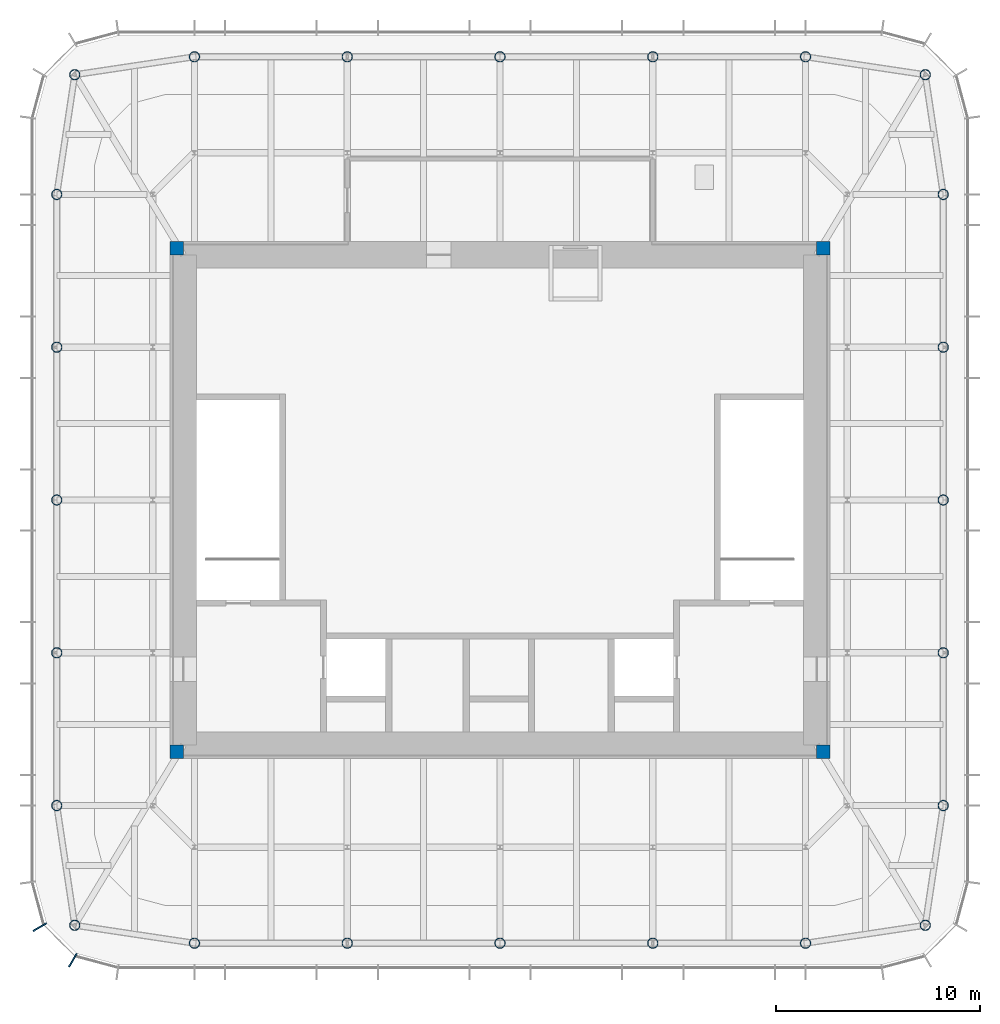
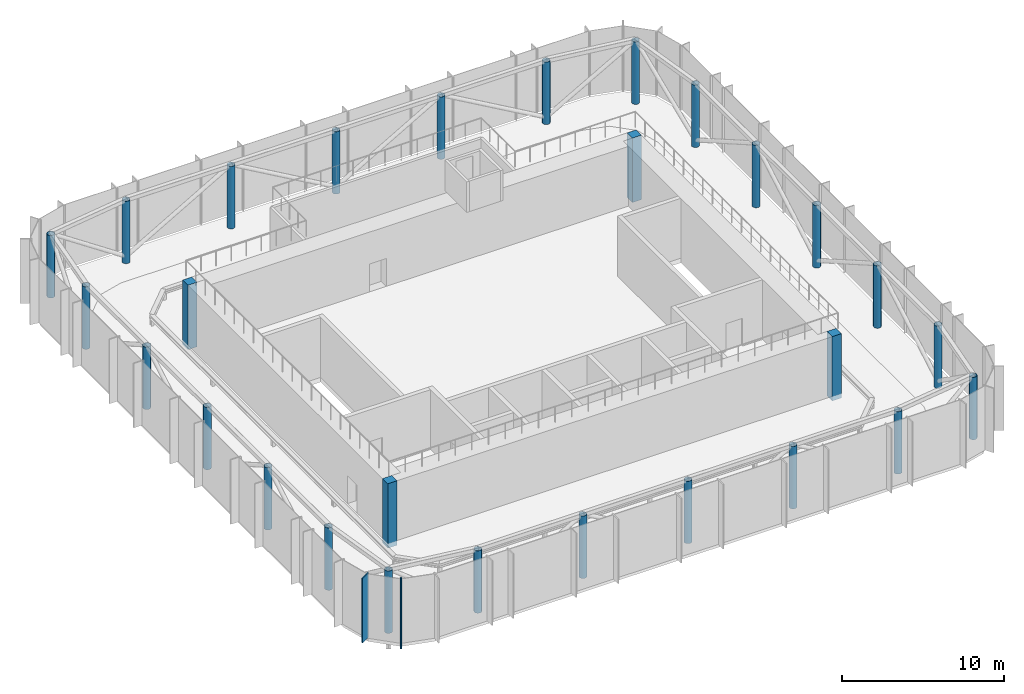
# One storey, part 1 of 12: 28 columns, 2 members, 1 element without a shape of its own.
"""IFC4 building model written with IfcOpenShell, lengths in metres."""

import ifcopenshell
import ifcopenshell.guid

model = None  # the IFC model being written
_history = None  # IfcOwnerHistory: only IFC2X3 demands one
_inside = {}  # id of a spatial element -> (the spatial element, [elements in it])
_under = {}  # id of a project, library or spatial element -> (it, [spatial elements below it])
_declared = {}  # id of a project -> (the project, [libraries it declares])
_typed = {}  # id of a type object -> (the type object, [elements of that type])
_made_of = {}  # id of a material, layer set ... -> (it, [elements and type objects made of it])


def new_model(schema):
    """Start an empty IFC model of exactly this schema.

    Asked for "IFC4X3", IfcOpenShell would pick the latest addendum, in which some entities
    have other attributes; the version numbers below select the first issue.
    IFC2X3 requires an IfcOwnerHistory on every rooted entity: one is made here for all.
    """
    global model, _history
    if schema == "IFC4X3":
        model = ifcopenshell.file(schema_version=(4, 3, 0, 0))
    else:
        model = ifcopenshell.file(schema=schema)
    _inside.clear()
    _under.clear()
    _declared.clear()
    _typed.clear()
    _made_of.clear()
    _history = None
    if model.schema == "IFC2X3":
        org = make("IfcOrganization", Name="unknown")
        user = make(
            "IfcPersonAndOrganization",
            ThePerson=make("IfcPerson", FamilyName="unknown"),
            TheOrganization=org,
        )
        app = make(
            "IfcApplication",
            ApplicationDeveloper=org,
            Version="unknown",
            ApplicationFullName="unknown",
            ApplicationIdentifier="unknown",
        )
        _history = make(
            "IfcOwnerHistory",
            OwningUser=user,
            OwningApplication=app,
            ChangeAction="ADDED",
            CreationDate=0,
        )
    return model


def make(cls, **values):
    """One entity of the class cls with the attributes given. An attribute that is None is left unset."""
    return model.create_entity(
        cls, **{name: value for name, value in values.items() if value is not None}
    )


def rooted(cls, **values):
    """An entity with a GlobalId (a new one), such as an element, a storey or a relation."""
    return make(cls, GlobalId=ifcopenshell.guid.new(), OwnerHistory=_history, **values)


def si_unit(unit_type, name, prefix=None):
    """IfcSIUnit, for example si_unit("LENGTHUNIT", "METRE", prefix="MILLI")."""
    return make("IfcSIUnit", UnitType=unit_type, Prefix=prefix, Name=name)


def assignment(units):
    """IfcUnitAssignment: the units of a project."""
    return None if units is None else make("IfcUnitAssignment", Units=units)


def point(xyz):
    """IfcCartesianPoint."""
    return None if xyz is None else make("IfcCartesianPoint", Coordinates=xyz)


def direction(xyz):
    """IfcDirection."""
    return None if xyz is None else make("IfcDirection", DirectionRatios=xyz)


def frame(location, z_axis=None, x_axis=None):
    """IfcAxis2Placement3D, a coordinate frame: its origin and axes. An axis left out is left unset."""
    return make(
        "IfcAxis2Placement3D",
        Location=point(location),
        Axis=direction(z_axis),
        RefDirection=direction(x_axis),
    )


def frame_2d(location, x_axis=None):
    """IfcAxis2Placement2D, a coordinate frame in the plane: its origin and x axis."""
    return make(
        "IfcAxis2Placement2D", Location=point(location), RefDirection=direction(x_axis)
    )


def origin():
    """The frame at (0, 0, 0) with its axes left unset."""
    return frame((0.0, 0.0, 0.0))


def origin_2d():
    """The frame at (0, 0) in the plane with its x axis left unset."""
    return frame_2d((0.0, 0.0))


def place(relative_to, where):
    """IfcLocalPlacement: puts the frame where relative to a parent placement (None: the world)."""
    return make(
        "IfcLocalPlacement", PlacementRelTo=relative_to, RelativePlacement=where
    )


def context(
    kind, dimensions, precision=None, world=None, true_north=None, identifier=None
):
    """IfcGeometricRepresentationContext, for example the 3D "Model" context."""
    return make(
        "IfcGeometricRepresentationContext",
        ContextIdentifier=identifier,
        ContextType=kind,
        CoordinateSpaceDimension=dimensions,
        Precision=precision,
        WorldCoordinateSystem=world,
        TrueNorth=true_north,
    )


def subcontext(parent, identifier, kind, view, scale=None):
    """IfcGeometricRepresentationSubContext, for example "Body" below "Model"."""
    return make(
        "IfcGeometricRepresentationSubContext",
        ContextIdentifier=identifier,
        ContextType=kind,
        ParentContext=parent,
        TargetScale=scale,
        TargetView=view,
    )


def project(units=None, contexts=None):
    """IfcProject with its units and contexts."""
    return rooted(
        "IfcProject",
        Name="project",
        RepresentationContexts=contexts,
        UnitsInContext=assignment(units),
    )


def spatial(cls, under=None, at=None, **own):
    """A site, building, storey or space (cls), placed at a placement, below another one or the project."""
    s = rooted(cls, ObjectPlacement=at, **own)
    if under is not None:
        _under.setdefault(under.id(), (under, []))[1].append(s)
    return s


def profile(cls, at=None, kind="AREA", **sizes):
    """A parametric profile (cls). Its sizes go by their IFC names, for example OverallWidth=200.0."""
    return make(cls, ProfileType=kind, Position=at, **sizes)


def rectangle(**sizes):
    """IfcRectangleProfileDef."""
    return profile("IfcRectangleProfileDef", **sizes)


def hollow_circle(**sizes):
    """IfcCircleHollowProfileDef."""
    return profile("IfcCircleHollowProfileDef", **sizes)


def extrude(swept, where, along, depth):
    """IfcExtrudedAreaSolid: the profile swept, set in the frame where, extruded along a direction by depth."""
    return make(
        "IfcExtrudedAreaSolid",
        SweptArea=swept,
        Position=where,
        ExtrudedDirection=direction(along),
        Depth=depth,
    )


def shape(context_of_items, identifier, shape_type, items):
    """IfcShapeRepresentation: the items that make up one representation, for example the "Body"."""
    return make(
        "IfcShapeRepresentation",
        ContextOfItems=context_of_items,
        RepresentationIdentifier=identifier,
        RepresentationType=shape_type,
        Items=items,
    )


def material(Name=None, Category=None):
    """IfcMaterial."""
    return make("IfcMaterial", Name=Name, Category=Category)


def material_profile(
    of_material, cross_section, Name=None, Category=None, Priority=None
):
    """IfcMaterialProfile: a cross section and its material."""
    return make(
        "IfcMaterialProfile",
        Name=Name,
        Material=of_material,
        Profile=cross_section,
        Priority=Priority,
        Category=Category,
    )


def profile_set(profiles, Name=None, composite=None):
    """IfcMaterialProfileSet."""
    return make(
        "IfcMaterialProfileSet",
        Name=Name,
        MaterialProfiles=profiles,
        CompositeProfile=composite,
    )


def made_of(thing, what):
    """Note that an element or type object is made of a material, layer set ...; save() writes the relation."""
    if what is not None:
        _made_of.setdefault(what.id(), (what, []))[1].append(thing)
    return thing


def type_object(cls, material=None, **own):
    """A type object (cls), such as IfcWallType, which elements share."""
    return made_of(rooted(cls, **own), material)


def element(
    cls,
    number,
    at=None,
    inside=None,
    cuts=None,
    type_object=None,
    material=None,
    context=None,
    identifier="Body",
    shape_type=None,
    held_by="IfcProductDefinitionShape",
    body=None,
    shapes=None,
    **own,
):
    """One element of the class cls, such as IfcWall. Its Tag is "e" and its number.

    at: its placement. inside: the storey or other place that contains it. cuts: it is an
    opening in that element (IfcRelVoidsElement). A single representation is given by context,
    identifier, shape_type and body (its items); several are given by shapes. held_by: the class
    of the entity that holds the representations. save() writes the other relations.
    """
    e = rooted(cls, Tag="e%d" % number, ObjectPlacement=at, **own)
    if body is not None:
        shapes = [shape(context, identifier, shape_type, body)]
    if shapes is not None:
        e.Representation = make(held_by, Representations=shapes)
    if inside is not None:
        _inside.setdefault(inside.id(), (inside, []))[1].append(e)
    if cuts is not None:
        rooted(
            "IfcRelVoidsElement", RelatingBuildingElement=cuts, RelatedOpeningElement=e
        )
    if type_object is not None:
        _typed.setdefault(type_object.id(), (type_object, []))[1].append(e)
    return made_of(e, material)


def aggregate(whole, parts):
    """IfcRelAggregates: a whole, such as a stair, and the parts it consists of."""
    return rooted("IfcRelAggregates", RelatingObject=whole, RelatedObjects=parts)


def save(model, path):
    """Write the relations noted so far, then the file.

    IfcRelAggregates (storeys below a building ...), IfcRelContainedInSpatialStructure (elements
    in a storey), IfcRelDefinesByType, IfcRelAssociatesMaterial and IfcRelDeclares: one each for
    every whole, place, type object, material and project.
    """
    for whole, parts in _under.values():
        aggregate(whole, parts)
    for where, things in _inside.values():
        rooted(
            "IfcRelContainedInSpatialStructure",
            RelatedElements=things,
            RelatingStructure=where,
        )
    for kind, things in _typed.values():
        rooted("IfcRelDefinesByType", RelatedObjects=things, RelatingType=kind)
    for what, things in _made_of.values():
        rooted("IfcRelAssociatesMaterial", RelatedObjects=things, RelatingMaterial=what)
    for by, libraries in _declared.values():
        rooted("IfcRelDeclares", RelatingContext=by, RelatedDefinitions=libraries)
    model.write(path)


model = new_model("IFC4")

# Units and contexts
model_context = context("Model", 3, precision=1e-05, world=origin(), true_north=direction((0.0, 1.0)))
body_context = subcontext(model_context, "Body", "Model", "MODEL_VIEW")
ifc_project = project(units=[si_unit("LENGTHUNIT", "METRE"), si_unit("AREAUNIT", "SQUARE_METRE"), si_unit("VOLUMEUNIT", "CUBIC_METRE"), si_unit("PLANEANGLEUNIT", "RADIAN"), si_unit("MASSUNIT", "GRAM", prefix="KILO")], contexts=[model_context])

# Site, building, storey
site_placement = place(None, origin())
site = spatial("IfcSite", under=ifc_project, at=site_placement, CompositionType="ELEMENT")
building_placement = place(site_placement, origin())
building = spatial("IfcBuilding", under=site, at=building_placement, Name="Khuree Lantern Residences", CompositionType="ELEMENT")
storey_placement = place(building_placement, frame((0.0, 0.0, 363.25)))
storey = spatial("IfcBuildingStorey", under=building, at=storey_placement, Name="RF", CompositionType="ELEMENT", Elevation=363.25)

# Columns
ifc_material_1 = material(Name="Steel S355", Category="steel")
ifc_material_profile_1 = material_profile(ifc_material_1, hollow_circle(Radius=0.25390625, WallThickness=0.02001953125, at=origin_2d()), Name="CHS 508X20")
ifc_profile_set_1 = profile_set([ifc_material_profile_1], Name="Steel S355")
column_type_1 = type_object("IfcColumnType", Name="CF1 LANTERN FRAME POST CHS 508X20", PredefinedType="COLUMN", material=ifc_profile_set_1)
for number, where, z_axis, x_axis, name in (
    (1, (-14.9599609375, 21.699951171875, 0.0), (0.0, 0.0, 1.0), (1.0, 0.0, 0.0), "Lantern frame post N1"),
    (2, (-7.47998046875, 21.699951171875, 0.0), (0.0, 0.0, 1.0), (1.0, 0.0, 0.0), "Lantern frame post N2"),
    (3, (0.0, 21.699951171875, 0.0), (0.0, 0.0, 1.0), (1.0, 0.0, 0.0), "Lantern frame post N3"),
    (4, (7.47998046875, 21.699951171875, 0.0), (0.0, 0.0, 1.0), (1.0, 0.0, 0.0), "Lantern frame post N4"),
    (5, (14.9599609375, 21.699951171875, 0.0), (0.0, 0.0, 1.0), (1.0, 0.0, 0.0), "Lantern frame post N5"),
    (6, (20.8212890625, 20.8212890625, 0.0), (0.0, 0.0, 1.0), (1.0, 0.0, 0.0), "Lantern frame post NE"),
    (7, (21.699951171875, 14.9599609375, 0.0), (0.0, 0.0, 1.0), (1.0, 0.0, 0.0), "Lantern frame post E1"),
    (8, (21.699951171875, 7.47998046875, 0.0), (0.0, 0.0, 1.0), (1.0, 0.0, 0.0), "Lantern frame post E2"),
    (9, (21.699951171875, 0.0, 0.0), (0.0, 0.0, 1.0), (1.0, 0.0, 0.0), "Lantern frame post E3"),
    (10, (21.699951171875, -7.47998046875, 0.0), (0.0, 0.0, 1.0), (1.0, 0.0, 0.0), "Lantern frame post E4"),
    (11, (21.699951171875, -14.9599609375, 0.0), (0.0, 0.0, 1.0), (1.0, 0.0, 0.0), "Lantern frame post E5"),
    (12, (20.8212890625, -20.8212890625, 0.0), (0.0, 0.0, 1.0), (1.0, 0.0, 0.0), "Lantern frame post SE"),
    (13, (14.9599609375, -21.699951171875, 0.0), (0.0, 0.0, 1.0), (1.0, 0.0, 0.0), "Lantern frame post S1"),
    (14, (7.47998046875, -21.699951171875, 0.0), (0.0, 0.0, 1.0), (1.0, 0.0, 0.0), "Lantern frame post S2"),
    (15, (0.0, -21.699951171875, 0.0), (0.0, 0.0, 1.0), (1.0, 0.0, 0.0), "Lantern frame post S3"),
    (16, (-7.47998046875, -21.699951171875, 0.0), (0.0, 0.0, 1.0), (1.0, 0.0, 0.0), "Lantern frame post S4"),
    (17, (-14.9599609375, -21.699951171875, 0.0), (0.0, 0.0, 1.0), (1.0, 0.0, 0.0), "Lantern frame post S5"),
    (18, (-20.8212890625, -20.8212890625, 0.0), (0.0, 0.0, 1.0), (1.0, 0.0, 0.0), "Lantern frame post SW"),
    (19, (-21.699951171875, -14.9599609375, 0.0), (0.0, 0.0, 1.0), (1.0, 0.0, 0.0), "Lantern frame post W1"),
    (20, (-21.699951171875, -7.47998046875, 0.0), (0.0, 0.0, 1.0), (1.0, 0.0, 0.0), "Lantern frame post W2"),
    (21, (-21.699951171875, 0.0, 0.0), (0.0, 0.0, 1.0), (1.0, 0.0, 0.0), "Lantern frame post W3"),
    (22, (-21.699951171875, 7.47998046875, 0.0), (0.0, 0.0, 1.0), (1.0, 0.0, 0.0), "Lantern frame post W4"),
    (23, (-21.699951171875, 14.9599609375, 0.0), (0.0, 0.0, 1.0), (1.0, 0.0, 0.0), "Lantern frame post W5"),
    (24, (-20.8212890625, 20.8212890625, 0.0), (0.0, 0.0, 1.0), (1.0, 0.0, 0.0), "Lantern frame post NW"),
):
    element("IfcColumn", number, at=place(storey_placement, frame(where, z_axis=z_axis, x_axis=x_axis)), inside=storey, type_object=column_type_1, Name=name, PredefinedType="COLUMN", context=body_context, shape_type="SweptSolid", body=[
        extrude(hollow_circle(Radius=0.25390625, WallThickness=0.02001953125, at=origin_2d()), origin(), (0.0, 0.0, 1.0), 4.699951171875),
    ])
ifc_material_2 = material(Name="Concrete C50/60", Category="concrete")
ifc_material_profile_2 = material_profile(ifc_material_2, rectangle(XDim=0.64990234375, YDim=0.64990234375, at=origin_2d()), Name="RC 650X650")
ifc_profile_set_2 = profile_set([ifc_material_profile_2], Name="Concrete C50/60")
column_type_2 = type_object("IfcColumnType", Name="CP650-C50 CORE CORNER PIER C50 RC 650X650", PredefinedType="COLUMN", material=ifc_profile_set_2)
for number, where, z_axis, x_axis, name in (
    (25, (15.824951171875, 12.324951171875, -0.35009765625), (0.0, 0.0, 1.0), (1.0, 0.0, 0.0), "Core corner pier NE"),
    (26, (-15.824951171875, 12.324951171875, -0.35009765625), (0.0, 0.0, 1.0), (1.0, 0.0, 0.0), "Core corner pier NW"),
    (27, (-15.824951171875, -12.324951171875, -0.35009765625), (0.0, 0.0, 1.0), (1.0, 0.0, 0.0), "Core corner pier SW"),
    (28, (15.824951171875, -12.324951171875, -0.35009765625), (0.0, 0.0, 1.0), (1.0, 0.0, 0.0), "Core corner pier SE"),
):
    element("IfcColumn", number, at=place(storey_placement, frame(where, z_axis=z_axis, x_axis=x_axis)), inside=storey, type_object=column_type_2, Name=name, PredefinedType="COLUMN", context=body_context, shape_type="SweptSolid", body=[
        extrude(rectangle(XDim=0.64990234375, YDim=0.64990234375, at=origin_2d()), origin(), (0.0, 0.0, 1.0), 4.85009765625),
    ])

# Curtain wall, members
ifc_material_3 = material(Name="Bronze anodised aluminium", Category="aluminium")
curtain_wall_type = type_object("IfcCurtainWallType", Name="CW-L LANTERN CROWN CURTAIN WALL", PredefinedType="USERDEFINED", material=ifc_material_3)
curtain_wall_placement = place(storey_placement, origin())
curtain_wall = element("IfcCurtainWall", 29, at=curtain_wall_placement, inside=storey, type_object=curtain_wall_type, Name="RF SOUTH-WEST CORNER CURTAIN WALL", ObjectType="Lantern curtain wall", PredefinedType="USERDEFINED")
ifc_material_profile_3 = material_profile(ifc_material_3, rectangle(XDim=0.074951171875, YDim=0.75, at=origin_2d()), Name="F4 75X750")
ifc_profile_set_3 = profile_set([ifc_material_profile_3], Name="Bronze anodised aluminium")
member_type = type_object("IfcMemberType", Name="F4 BRONZE FIN MULLION LANTERN 75X750", PredefinedType="MULLION", material=ifc_profile_set_3)
member_1_placement = place(storey_placement, frame((-22.5322265625, -20.91259765625, 0.0), z_axis=(0.0, 0.0, 1.0), x_axis=(0.49999994149, -0.866025437565, 0.0)))
member_1 = element("IfcMember", 30, at=member_1_placement, type_object=member_type, Name="RF SOUTH-WEST CORNER FIN MULLION 44", PredefinedType="MULLION", context=body_context, shape_type="SweptSolid", body=[
    extrude(rectangle(XDim=0.074951171875, YDim=0.75, at=origin_2d()), origin(), (0.0, 0.0, 1.0), 4.85009765625),
])
member_2_placement = place(storey_placement, frame((-20.91259765625, -22.5322265625, 0.0), z_axis=(0.0, 0.0, 1.0), x_axis=(0.866025437565, -0.49999994149, 0.0)))
member_2 = element("IfcMember", 31, at=member_2_placement, type_object=member_type, Name="RF SOUTH-WEST CORNER FIN MULLION 45", PredefinedType="MULLION", context=body_context, shape_type="SweptSolid", body=[
    extrude(rectangle(XDim=0.074951171875, YDim=0.75, at=origin_2d()), origin(), (0.0, 0.0, 1.0), 4.85009765625),
])
aggregate(curtain_wall, [member_1, member_2])

save(model, "model.ifc")
